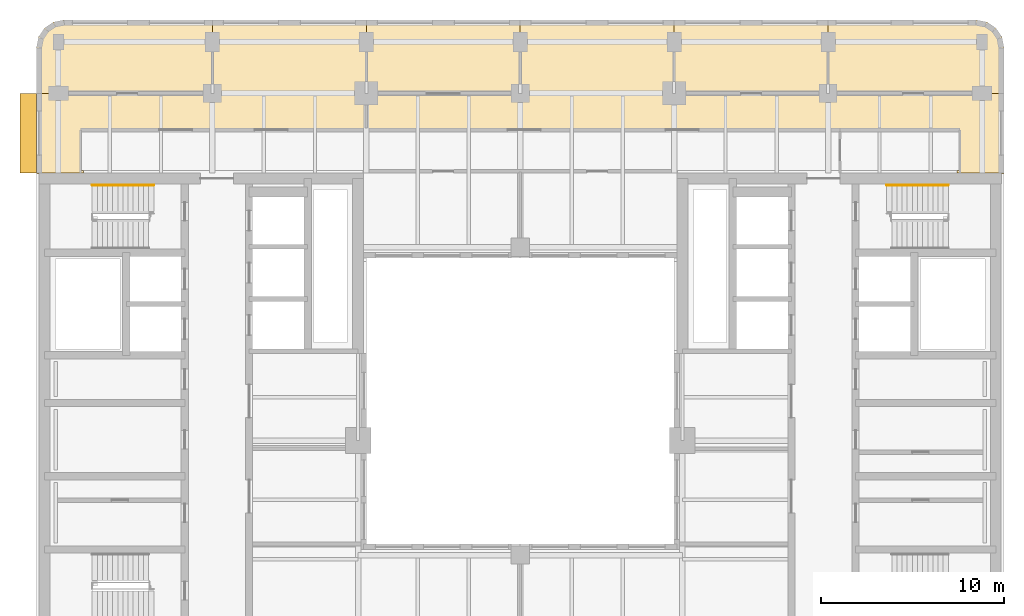
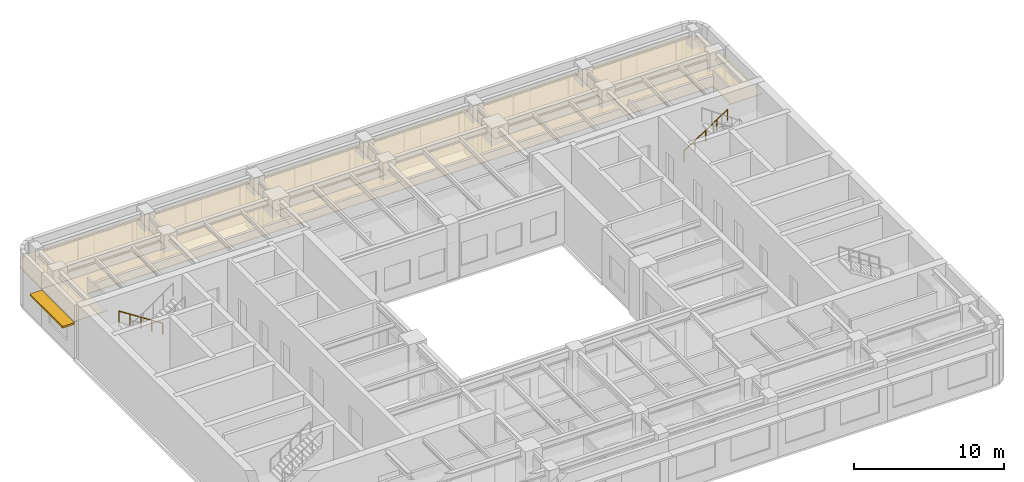
# One storey, part 11 of 11: 6 coverings, 2 railings, 1 shading device.
"""IFC4 building model written with IfcOpenShell, lengths in metres."""

import ifcopenshell
import ifcopenshell.guid

model = None  # the IFC model being written
_history = None  # IfcOwnerHistory: only IFC2X3 demands one
_inside = {}  # id of a spatial element -> (the spatial element, [elements in it])
_under = {}  # id of a project, library or spatial element -> (it, [spatial elements below it])
_declared = {}  # id of a project -> (the project, [libraries it declares])
_typed = {}  # id of a type object -> (the type object, [elements of that type])
_made_of = {}  # id of a material, layer set ... -> (it, [elements and type objects made of it])


def new_model(schema):
    """Start an empty IFC model of exactly this schema.

    Asked for "IFC4X3", IfcOpenShell would pick the latest addendum, in which some entities
    have other attributes; the version numbers below select the first issue.
    IFC2X3 requires an IfcOwnerHistory on every rooted entity: one is made here for all.
    """
    global model, _history
    if schema == "IFC4X3":
        model = ifcopenshell.file(schema_version=(4, 3, 0, 0))
    else:
        model = ifcopenshell.file(schema=schema)
    _inside.clear()
    _under.clear()
    _declared.clear()
    _typed.clear()
    _made_of.clear()
    _history = None
    if model.schema == "IFC2X3":
        org = make("IfcOrganization", Name="unknown")
        user = make(
            "IfcPersonAndOrganization",
            ThePerson=make("IfcPerson", FamilyName="unknown"),
            TheOrganization=org,
        )
        app = make(
            "IfcApplication",
            ApplicationDeveloper=org,
            Version="unknown",
            ApplicationFullName="unknown",
            ApplicationIdentifier="unknown",
        )
        _history = make(
            "IfcOwnerHistory",
            OwningUser=user,
            OwningApplication=app,
            ChangeAction="ADDED",
            CreationDate=0,
        )
    return model


def make(cls, **values):
    """One entity of the class cls with the attributes given. An attribute that is None is left unset."""
    return model.create_entity(
        cls, **{name: value for name, value in values.items() if value is not None}
    )


def rooted(cls, **values):
    """An entity with a GlobalId (a new one), such as an element, a storey or a relation."""
    return make(cls, GlobalId=ifcopenshell.guid.new(), OwnerHistory=_history, **values)


def si_unit(unit_type, name, prefix=None):
    """IfcSIUnit, for example si_unit("LENGTHUNIT", "METRE", prefix="MILLI")."""
    return make("IfcSIUnit", UnitType=unit_type, Prefix=prefix, Name=name)


def assignment(units):
    """IfcUnitAssignment: the units of a project."""
    return None if units is None else make("IfcUnitAssignment", Units=units)


def point(xyz):
    """IfcCartesianPoint."""
    return None if xyz is None else make("IfcCartesianPoint", Coordinates=xyz)


def direction(xyz):
    """IfcDirection."""
    return None if xyz is None else make("IfcDirection", DirectionRatios=xyz)


def frame(location, z_axis=None, x_axis=None):
    """IfcAxis2Placement3D, a coordinate frame: its origin and axes. An axis left out is left unset."""
    return make(
        "IfcAxis2Placement3D",
        Location=point(location),
        Axis=direction(z_axis),
        RefDirection=direction(x_axis),
    )


def frame_2d(location, x_axis=None):
    """IfcAxis2Placement2D, a coordinate frame in the plane: its origin and x axis."""
    return make(
        "IfcAxis2Placement2D", Location=point(location), RefDirection=direction(x_axis)
    )


def origin():
    """The frame at (0, 0, 0) with its axes left unset."""
    return frame((0.0, 0.0, 0.0))


def origin_2d():
    """The frame at (0, 0) in the plane with its x axis left unset."""
    return frame_2d((0.0, 0.0))


def place(relative_to, where):
    """IfcLocalPlacement: puts the frame where relative to a parent placement (None: the world)."""
    return make(
        "IfcLocalPlacement", PlacementRelTo=relative_to, RelativePlacement=where
    )


def context(
    kind, dimensions, precision=None, world=None, true_north=None, identifier=None
):
    """IfcGeometricRepresentationContext, for example the 3D "Model" context."""
    return make(
        "IfcGeometricRepresentationContext",
        ContextIdentifier=identifier,
        ContextType=kind,
        CoordinateSpaceDimension=dimensions,
        Precision=precision,
        WorldCoordinateSystem=world,
        TrueNorth=true_north,
    )


def subcontext(parent, identifier, kind, view, scale=None):
    """IfcGeometricRepresentationSubContext, for example "Body" below "Model"."""
    return make(
        "IfcGeometricRepresentationSubContext",
        ContextIdentifier=identifier,
        ContextType=kind,
        ParentContext=parent,
        TargetScale=scale,
        TargetView=view,
    )


def project(units=None, contexts=None):
    """IfcProject with its units and contexts."""
    return rooted(
        "IfcProject",
        Name="project",
        RepresentationContexts=contexts,
        UnitsInContext=assignment(units),
    )


def spatial(cls, under=None, at=None, **own):
    """A site, building, storey or space (cls), placed at a placement, below another one or the project."""
    s = rooted(cls, ObjectPlacement=at, **own)
    if under is not None:
        _under.setdefault(under.id(), (under, []))[1].append(s)
    return s


def polyline(points):
    """IfcPolyline through the points."""
    return make("IfcPolyline", Points=[point(p) for p in points])


def profile(cls, at=None, kind="AREA", **sizes):
    """A parametric profile (cls). Its sizes go by their IFC names, for example OverallWidth=200.0."""
    return make(cls, ProfileType=kind, Position=at, **sizes)


def rectangle(**sizes):
    """IfcRectangleProfileDef."""
    return profile("IfcRectangleProfileDef", **sizes)


def circle(**sizes):
    """IfcCircleProfileDef."""
    return profile("IfcCircleProfileDef", **sizes)


def outline(outer, holes=None, kind="AREA"):
    """IfcArbitraryClosedProfileDef: a profile drawn as a closed curve; with holes, ...WithVoids."""
    if holes is None:
        return make("IfcArbitraryClosedProfileDef", ProfileType=kind, OuterCurve=outer)
    return make(
        "IfcArbitraryProfileDefWithVoids",
        ProfileType=kind,
        OuterCurve=outer,
        InnerCurves=holes,
    )


def extrude(swept, where, along, depth):
    """IfcExtrudedAreaSolid: the profile swept, set in the frame where, extruded along a direction by depth."""
    return make(
        "IfcExtrudedAreaSolid",
        SweptArea=swept,
        Position=where,
        ExtrudedDirection=direction(along),
        Depth=depth,
    )


def shape(context_of_items, identifier, shape_type, items):
    """IfcShapeRepresentation: the items that make up one representation, for example the "Body"."""
    return make(
        "IfcShapeRepresentation",
        ContextOfItems=context_of_items,
        RepresentationIdentifier=identifier,
        RepresentationType=shape_type,
        Items=items,
    )


def material(Name=None, Category=None):
    """IfcMaterial."""
    return make("IfcMaterial", Name=Name, Category=Category)


def layer(
    of_material, thickness, ventilated=None, Name=None, Category=None, Priority=None
):
    """IfcMaterialLayer: one layer of a wall or slab, of a material (None: an air gap)."""
    return make(
        "IfcMaterialLayer",
        Material=of_material,
        LayerThickness=thickness,
        IsVentilated=ventilated,
        Name=Name,
        Category=Category,
        Priority=Priority,
    )


def layer_set(layers, Name=None):
    """IfcMaterialLayerSet."""
    return make("IfcMaterialLayerSet", MaterialLayers=layers, LayerSetName=Name)


def made_of(thing, what):
    """Note that an element or type object is made of a material, layer set ...; save() writes the relation."""
    if what is not None:
        _made_of.setdefault(what.id(), (what, []))[1].append(thing)
    return thing


def type_object(cls, material=None, **own):
    """A type object (cls), such as IfcWallType, which elements share."""
    return made_of(rooted(cls, **own), material)


def element(
    cls,
    number,
    at=None,
    inside=None,
    cuts=None,
    type_object=None,
    material=None,
    context=None,
    identifier="Body",
    shape_type=None,
    held_by="IfcProductDefinitionShape",
    body=None,
    shapes=None,
    **own,
):
    """One element of the class cls, such as IfcWall. Its Tag is "e" and its number.

    at: its placement. inside: the storey or other place that contains it. cuts: it is an
    opening in that element (IfcRelVoidsElement). A single representation is given by context,
    identifier, shape_type and body (its items); several are given by shapes. held_by: the class
    of the entity that holds the representations. save() writes the other relations.
    """
    e = rooted(cls, Tag="e%d" % number, ObjectPlacement=at, **own)
    if body is not None:
        shapes = [shape(context, identifier, shape_type, body)]
    if shapes is not None:
        e.Representation = make(held_by, Representations=shapes)
    if inside is not None:
        _inside.setdefault(inside.id(), (inside, []))[1].append(e)
    if cuts is not None:
        rooted(
            "IfcRelVoidsElement", RelatingBuildingElement=cuts, RelatedOpeningElement=e
        )
    if type_object is not None:
        _typed.setdefault(type_object.id(), (type_object, []))[1].append(e)
    return made_of(e, material)


def aggregate(whole, parts):
    """IfcRelAggregates: a whole, such as a stair, and the parts it consists of."""
    return rooted("IfcRelAggregates", RelatingObject=whole, RelatedObjects=parts)


def save(model, path):
    """Write the relations noted so far, then the file.

    IfcRelAggregates (storeys below a building ...), IfcRelContainedInSpatialStructure (elements
    in a storey), IfcRelDefinesByType, IfcRelAssociatesMaterial and IfcRelDeclares: one each for
    every whole, place, type object, material and project.
    """
    for whole, parts in _under.values():
        aggregate(whole, parts)
    for where, things in _inside.values():
        rooted(
            "IfcRelContainedInSpatialStructure",
            RelatedElements=things,
            RelatingStructure=where,
        )
    for kind, things in _typed.values():
        rooted("IfcRelDefinesByType", RelatedObjects=things, RelatingType=kind)
    for what, things in _made_of.values():
        rooted("IfcRelAssociatesMaterial", RelatedObjects=things, RelatingMaterial=what)
    for by, libraries in _declared.values():
        rooted("IfcRelDeclares", RelatingContext=by, RelatedDefinitions=libraries)
    model.write(path)


model = new_model("IFC4")

# Units and contexts
model_context = context("Model", 3, precision=1e-05, world=origin(), true_north=direction((0.0, 1.0)))
body_context = subcontext(model_context, "Body", "Model", "MODEL_VIEW")
ifc_project = project(units=[si_unit("LENGTHUNIT", "METRE"), si_unit("AREAUNIT", "SQUARE_METRE"), si_unit("VOLUMEUNIT", "CUBIC_METRE"), si_unit("PLANEANGLEUNIT", "RADIAN"), si_unit("MASSUNIT", "GRAM", prefix="KILO")], contexts=[model_context])

# Site, building, storey
site_placement = place(None, origin())
site = spatial("IfcSite", under=ifc_project, at=site_placement, CompositionType="ELEMENT")
building_placement = place(site_placement, origin())
building = spatial("IfcBuilding", under=site, at=building_placement, Name="Claustro Exchange Tower", CompositionType="ELEMENT")
storey_placement = place(building_placement, frame((0.0, 0.0, 263.699951171875)))
storey = spatial("IfcBuildingStorey", under=building, at=storey_placement, Name="L60", CompositionType="ELEMENT", Elevation=263.699951171875)

# Coverings
ifc_material_1 = material(Name="Oak slats on acoustic backing", Category="wood")
ifc_layer_1 = layer(ifc_material_1, 0.050048828125)
ifc_layer_set_1 = layer_set([ifc_layer_1], Name="Oak slats on acoustic backing")
covering_type = type_object("IfcCoveringType", Name="CL3 timber slat ceiling", PredefinedType="CEILING", material=ifc_layer_set_1)
covering_1_placement = place(storey_placement, frame((0.0, 0.0, 3.0)))
element("IfcCovering", 1, at=covering_1_placement, inside=storey, type_object=covering_type, Name="Ceiling CL3 L60-22", PredefinedType="CEILING", context=body_context, shape_type="SweptSolid", body=[
    extrude(outline(polyline([(51.449951171875, 37.64990234375), (51.449951171875, 37.6298828125), (51.60009765625, 37.6298828125), (51.60009765625, 42.0), (33.60009765625, 42.0), (33.60009765625, 46.0), (25.199951171875, 46.0), (25.199951171875, 42.0), (16.800048828125, 42.0), (16.800048828125, 40.0), (49.199951171875, 40.0), (49.199951171875, 37.800048828125), (49.030029296875, 37.800048828125), (49.030029296875, 37.64990234375), (51.449951171875, 37.64990234375)])), origin(), (0.0, 0.0, 1.0), 0.050048828125),
])
covering_2_placement = place(storey_placement, frame((0.0, 0.0, 3.0)))
element("IfcCovering", 2, at=covering_2_placement, inside=storey, type_object=covering_type, Name="Ceiling CL3 L60-23", PredefinedType="CEILING", context=body_context, shape_type="SweptSolid", body=[
    extrude(outline(polyline([(-1.050048828125, 37.64990234375), (1.3701171875, 37.64990234375), (1.3701171875, 37.800048828125), (1.199951171875, 37.800048828125), (1.199951171875, 40.0), (16.800048828125, 40.0), (16.800048828125, 46.0), (8.39990234375, 46.0), (8.39990234375, 42.0), (-1.199951171875, 42.0), (-1.199951171875, 37.6298828125), (-1.050048828125, 37.6298828125), (-1.050048828125, 37.64990234375)])), origin(), (0.0, 0.0, 1.0), 0.050048828125),
])
covering_3_placement = place(storey_placement, frame((0.0, 0.0, 3.0)))
element("IfcCovering", 3, at=covering_3_placement, inside=storey, type_object=covering_type, Name="Ceiling CL3 L60-24", PredefinedType="CEILING", context=body_context, shape_type="SweptSolid", body=[
    extrude(outline(polyline([(-1.199951171875, 44.5), (-1.199951171875, 42.0), (8.39990234375, 42.0), (8.39990234375, 46.0), (0.300048828125, 46.0), (-0.27392578125, 45.8857421875), (-0.7607421875, 45.560791015625), (-1.085693359375, 45.073974609375), (-1.199951171875, 44.5)])), origin(), (0.0, 0.0, 1.0), 0.050048828125),
])
covering_4_placement = place(storey_placement, frame((0.0, 0.0, 3.0)))
element("IfcCovering", 4, at=covering_4_placement, inside=storey, type_object=covering_type, Name="Ceiling CL3 L60-25", PredefinedType="CEILING", context=body_context, shape_type="SweptSolid", body=[
    extrude(outline(polyline([(25.199951171875, 46.0), (16.800048828125, 46.0), (16.800048828125, 42.0), (25.199951171875, 42.0), (25.199951171875, 46.0)])), origin(), (0.0, 0.0, 1.0), 0.050048828125),
])
covering_5_placement = place(storey_placement, frame((0.0, 0.0, 3.0)))
element("IfcCovering", 5, at=covering_5_placement, inside=storey, type_object=covering_type, Name="Ceiling CL3 L60-26", PredefinedType="CEILING", context=body_context, shape_type="SweptSolid", body=[
    extrude(outline(polyline([(42.0, 46.0), (33.60009765625, 46.0), (33.60009765625, 42.0), (42.0, 42.0), (42.0, 46.0)])), origin(), (0.0, 0.0, 1.0), 0.050048828125),
])
covering_6_placement = place(storey_placement, frame((0.0, 0.0, 3.0)))
element("IfcCovering", 6, at=covering_6_placement, inside=storey, type_object=covering_type, Name="Ceiling CL3 L60-27", PredefinedType="CEILING", context=body_context, shape_type="SweptSolid", body=[
    extrude(outline(polyline([(50.10009765625, 46.0), (42.0, 46.0), (42.0, 42.0), (51.60009765625, 42.0), (51.60009765625, 44.5), (51.48583984375, 45.073974609375), (51.16064453125, 45.560791015625), (50.674072265625, 45.8857421875), (50.10009765625, 46.0)])), origin(), (0.0, 0.0, 1.0), 0.050048828125),
])

# Railings
ifc_material_2 = material(Name="Stainless steel tube", Category="steel")
railing_type = type_object("IfcRailingType", Name="HR1 900 stair handrail", PredefinedType="HANDRAIL", material=ifc_material_2)
railing_1_placement = place(storey_placement, frame((5.199951171875, 36.989990234375, 0.179931640625)))
element("IfcRailing", 7, at=railing_1_placement, inside=storey, type_object=railing_type, Name="Handrail HR1 stair STWB L60", PredefinedType="HANDRAIL", context=body_context, shape_type="SweptSolid", body=[
    extrude(circle(Radius=0.02392578125, at=origin_2d()), frame((0.0, 0.0, 0.8759765625), z_axis=(-0.841150671818, 0.0, 0.540800838849), x_axis=(0.0, -1.0, 0.0)), (0.0, 0.0, 1.0), 3.994384765625),
    extrude(circle(Radius=0.02099609375, at=origin_2d()), origin(), (0.0, 0.0, 1.0), 0.851806640625),
    extrude(circle(Radius=0.02099609375, at=origin_2d()), frame((-0.83984375, 0.0, 0.5400390625)), (0.0, 0.0, 1.0), 0.851806640625),
    extrude(circle(Radius=0.02099609375, at=origin_2d()), frame((-1.679931640625, 0.0, 1.080078125)), (0.0, 0.0, 1.0), 0.851806640625),
    extrude(circle(Radius=0.02099609375, at=origin_2d()), frame((-2.52001953125, 0.0, 1.6201171875)), (0.0, 0.0, 1.0), 0.851806640625),
    extrude(circle(Radius=0.02099609375, at=origin_2d()), frame((-3.35986328125, 0.0, 2.16015625)), (0.0, 0.0, 1.0), 0.851806640625),
])
railing_2_placement = place(storey_placement, frame((45.199951171875, 36.989990234375, 0.179931640625)))
element("IfcRailing", 8, at=railing_2_placement, inside=storey, type_object=railing_type, Name="Handrail HR1 stair STEB L60", PredefinedType="HANDRAIL", context=body_context, shape_type="SweptSolid", body=[
    extrude(circle(Radius=0.02392578125, at=origin_2d()), frame((0.0, 0.0, 0.8759765625), z_axis=(0.8411685463, 0.0, 0.540773036232), x_axis=(0.0, 1.0, 0.0)), (0.0, 0.0, 1.0), 3.99462890625),
    extrude(circle(Radius=0.02099609375, at=origin_2d()), origin(), (0.0, 0.0, 1.0), 0.851806640625),
    extrude(circle(Radius=0.02099609375, at=origin_2d()), frame((0.840087890625, 0.0, 0.5400390625)), (0.0, 0.0, 1.0), 0.851806640625),
    extrude(circle(Radius=0.02099609375, at=origin_2d()), frame((1.68017578125, 0.0, 1.080078125)), (0.0, 0.0, 1.0), 0.851806640625),
    extrude(circle(Radius=0.02099609375, at=origin_2d()), frame((2.52001953125, 0.0, 1.6201171875)), (0.0, 0.0, 1.0), 0.851806640625),
    extrude(circle(Radius=0.02099609375, at=origin_2d()), frame((3.360107421875, 0.0, 2.16015625)), (0.0, 0.0, 1.0), 0.851806640625),
])

# Shading device
ifc_material_3 = material(Name="Concrete HA-40 (C40/50), precast, white cement, acid-etched", Category="concrete")
ifc_layer_2 = layer(ifc_material_3, 0.14990234375)
ifc_layer_set_2 = layer_set([ifc_layer_2], Name="Concrete HA-40 (C40/50), precast, white cement, acid-etched")
shading_device_type = type_object("IfcShadingDeviceType", Name="SS2 900 precast concrete SUNSHADE", PredefinedType="SHUTTER", material=ifc_layer_set_2)
shading_device_placement = place(storey_placement, frame((-1.64990234375, 39.824951171875, 2.800048828125), z_axis=(0.0, 0.0, 1.0), x_axis=(0.0, 1.0, 0.0)))
element("IfcShadingDevice", 9, at=shading_device_placement, inside=storey, type_object=shading_device_type, Name="Precast SUNSHADE SS2 L60", PredefinedType="SHUTTER", context=body_context, shape_type="SweptSolid", body=[
    extrude(rectangle(XDim=4.35009765625, YDim=0.89990234375, at=origin_2d()), origin(), (0.0, 0.0, 1.0), 0.14990234375),
])

save(model, "model.ifc")
